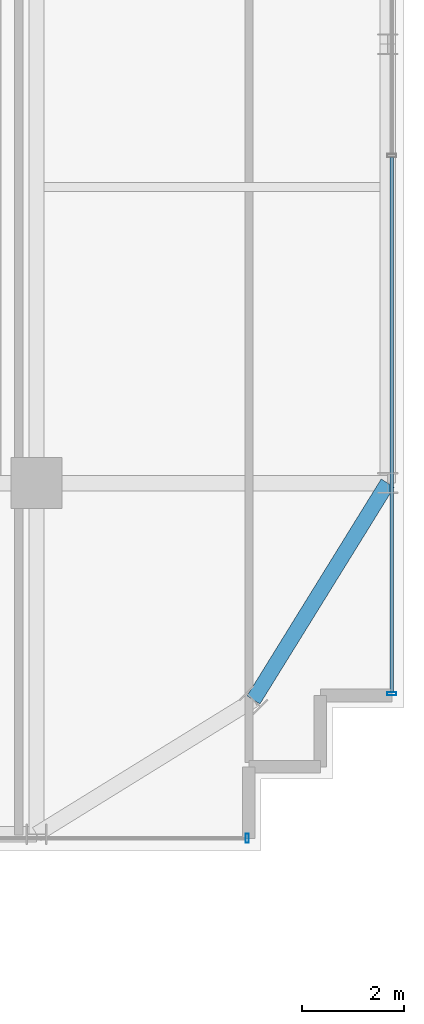
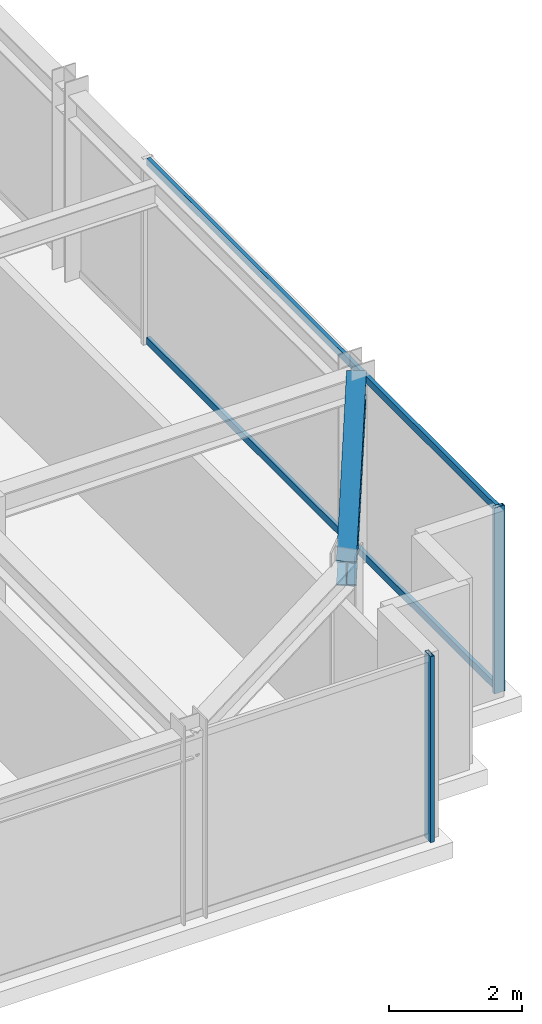
# One storey, part 13 of 32: 4 members, 1 beam, 2 elements without a shape of their own.
"""IFC4 building model written with IfcOpenShell, lengths in metres."""

from ifc_helpers import new_model, si_unit, direction, frame, origin, origin_2d, place, context, subcontext, project, spatial, hollow_rectangle, i_section, extrude, source, transform, mapped, material, material_profile, profile_set, type_object, element, aggregate, save


model = new_model("IFC4")

# Units and contexts
model_context = context("Model", 3, precision=1e-05, world=origin(), true_north=direction((0.0, 1.0)))
body_context = subcontext(model_context, "Body", "Model", "MODEL_VIEW")
ifc_project = project(units=[si_unit("LENGTHUNIT", "METRE"), si_unit("AREAUNIT", "SQUARE_METRE"), si_unit("VOLUMEUNIT", "CUBIC_METRE"), si_unit("PLANEANGLEUNIT", "RADIAN"), si_unit("MASSUNIT", "GRAM", prefix="KILO")], contexts=[model_context])

# Site, building, storey
site_placement = place(None, origin())
site = spatial("IfcSite", under=ifc_project, at=site_placement, CompositionType="ELEMENT")
building_placement = place(site_placement, origin())
building = spatial("IfcBuilding", under=site, at=building_placement, Name="Nahalor Promenade Grand Hotel", CompositionType="ELEMENT")
storey_placement = place(building_placement, frame((0.0, 0.0, 230.800048828125)))
storey = spatial("IfcBuildingStorey", under=building, at=storey_placement, Name="L59", CompositionType="ELEMENT", Elevation=230.800048828125)

# Beam
ifc_material_1 = material(Name="Steel S355JR", Category="steel")
ifc_material_profile_1 = material_profile(ifc_material_1, i_section(OverallWidth=0.3, OverallDepth=0.45, WebThickness=0.014, FlangeThickness=0.026, at=origin_2d()), Name="HEB 450")
ifc_profile_set_1 = profile_set([ifc_material_profile_1], Name="Steel S355JR")
beam_type = type_object("IfcBeamType", Name="Beam-Spandrel-HEB450", PredefinedType="SPANDREL", material=ifc_profile_set_1)
shared_shape_1 = source(origin(), body_context, "Body", "SweptSolid", [
    extrude(i_section(OverallWidth=0.3, OverallDepth=0.45, WebThickness=0.014, FlangeThickness=0.026, at=origin_2d()), origin(), (0.0, 0.0, 1.0), 4.997802734375),
])
beam_placement = place(storey_placement, frame((21.25, -21.25, 3.18505859375), z_axis=(0.526199891161, 0.850360908404, 0.0), x_axis=(-0.850360908404, 0.526199891161, 0.0)))
element("IfcBeam", 1, at=beam_placement, inside=storey, type_object=beam_type, Name="BM-L59-SPC-SE-2", PredefinedType="SPANDREL", context=body_context, shape_type="MappedRepresentation", body=[
    mapped(shared_shape_1, transform((0.0, 0.0, 0.0), scale=1.0)),
])

# Curtain wall, members
ifc_material_2 = material(Name="Anodised Bronze Aluminium EN AW-6063 T6", Category="aluminium")
curtain_wall_type = type_object("IfcCurtainWallType", Name="CW2 Typical Hotel Flush Bronze Unitised Curtain Wall", PredefinedType="USERDEFINED", material=ifc_material_2)
curtain_wall_1_placement = place(storey_placement, origin())
curtain_wall_1 = element("IfcCurtainWall", 2, at=curtain_wall_1_placement, inside=storey, type_object=curtain_wall_type, Name="L59 Curtain Wall CW-L59-E-1", ObjectType="UNITISED_CURTAIN_WALL", PredefinedType="USERDEFINED")
ifc_material_profile_2 = material_profile(ifc_material_2, hollow_rectangle(XDim=0.065, YDim=0.13, WallThickness=0.004, at=origin_2d()), Name="CWT 65x130x4")
ifc_profile_set_2 = profile_set([ifc_material_profile_2], Name="Anodised Bronze Aluminium EN AW-6063 T6")
member_type_1 = type_object("IfcMemberType", Name="CWT2 Typical Bronze Transom 65x130", PredefinedType="USERDEFINED", material=ifc_profile_set_2)
shared_shape_2 = source(origin(), body_context, "Body", "SweptSolid", [
    extrude(hollow_rectangle(XDim=0.065, YDim=0.13, WallThickness=0.004, at=origin_2d()), origin(), (0.0, 0.0, 1.0), 10.482421875),
])
member_1_placement = place(storey_placement, frame((23.9599609375, -21.094970703125, 0.06494140625), z_axis=(0.0, 1.0, 0.0), x_axis=(-1.0, 0.0, 0.0)))
member_1 = element("IfcMember", 3, at=member_1_placement, type_object=member_type_1, Name="CW-L59-E-1 Transom 0-0", ObjectType="TRANSOM", PredefinedType="USERDEFINED", context=body_context, shape_type="MappedRepresentation", body=[
    mapped(shared_shape_2, transform((0.0, 0.0, 0.0), scale=1.0)),
])
member_2_placement = place(storey_placement, frame((23.9599609375, -21.094970703125, 3.344970703125), z_axis=(0.0, 1.0, 0.0), x_axis=(-1.0, 0.0, 0.0)))
member_2 = element("IfcMember", 4, at=member_2_placement, type_object=member_type_1, Name="CW-L59-E-1 Transom 0-1", ObjectType="TRANSOM", PredefinedType="USERDEFINED", context=body_context, shape_type="MappedRepresentation", body=[
    mapped(shared_shape_2, transform((0.0, 0.0, 0.0), scale=1.0)),
])

# Curtain wall, member
curtain_wall_2_placement = place(storey_placement, origin())
curtain_wall_2 = element("IfcCurtainWall", 5, at=curtain_wall_2_placement, inside=storey, type_object=curtain_wall_type, Name="L59 Curtain Wall CW-L59-S-3", ObjectType="UNITISED_CURTAIN_WALL", PredefinedType="USERDEFINED")
ifc_material_profile_3 = material_profile(ifc_material_2, hollow_rectangle(XDim=0.065, YDim=0.18, WallThickness=0.004, at=origin_2d()), Name="CWM 65x180x4")
ifc_profile_set_3 = profile_set([ifc_material_profile_3], Name="Anodised Bronze Aluminium EN AW-6063 T6")
member_type_2 = type_object("IfcMemberType", Name="CWM2 Typical Bronze Mullion 65x180", PredefinedType="MULLION", material=ifc_profile_set_3)
shared_shape_3 = source(origin(), body_context, "Body", "SweptSolid", [
    extrude(hollow_rectangle(XDim=0.065, YDim=0.18, WallThickness=0.004, at=origin_2d()), origin(), (0.0, 0.0, 1.0), 3.409912109375),
])
member_3_placement = place(storey_placement, frame((21.12744140625, -23.9599609375, 0.0), z_axis=(0.0, 0.0, 1.0), x_axis=(1.0, 0.0, 0.0)))
member_3 = element("IfcMember", 6, at=member_3_placement, type_object=member_type_2, Name="CW-L59-S-3 Mullion 2", PredefinedType="MULLION", context=body_context, shape_type="MappedRepresentation", body=[
    mapped(shared_shape_3, transform((0.0, 0.0, 0.0), scale=1.0)),
])
aggregate(curtain_wall_2, [member_3])

# Member
member_4_placement = place(storey_placement, frame((23.9599609375, -21.12744140625, 0.0), z_axis=(0.0, 0.0, 1.0), x_axis=(0.0, 1.0, 0.0)))
member_4 = element("IfcMember", 7, at=member_4_placement, type_object=member_type_2, Name="CW-L59-E-1 Mullion 0", PredefinedType="MULLION", context=body_context, shape_type="MappedRepresentation", body=[
    mapped(shared_shape_3, transform((0.0, 0.0, 0.0), scale=1.0)),
])

aggregate(curtain_wall_1, [member_4, member_1, member_2])

save(model, "model.ifc")
